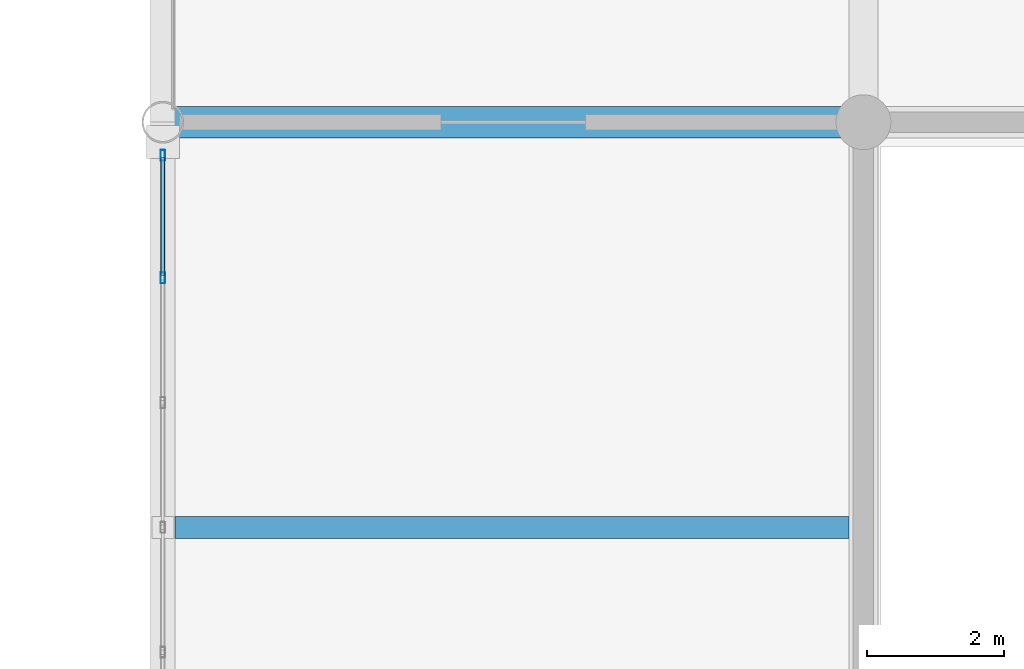
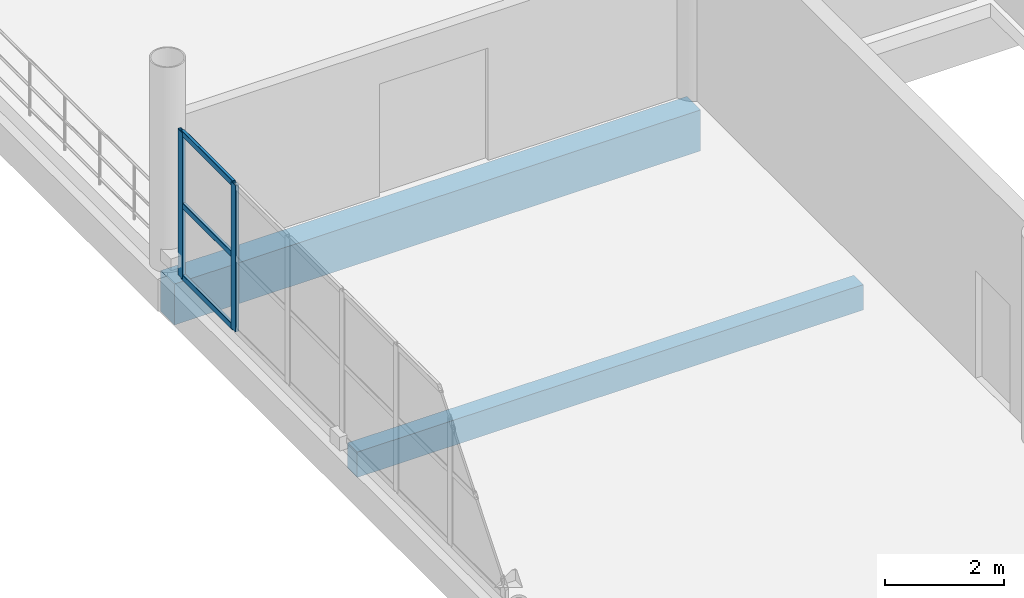
# One storey, part 73 of 157: 5 members, 2 beams, 1 element without a shape of its own.
"""IFC4 building model written with IfcOpenShell, lengths in metres."""

import ifcopenshell
import ifcopenshell.guid

model = None  # the IFC model being written
_history = None  # IfcOwnerHistory: only IFC2X3 demands one
_inside = {}  # id of a spatial element -> (the spatial element, [elements in it])
_under = {}  # id of a project, library or spatial element -> (it, [spatial elements below it])
_declared = {}  # id of a project -> (the project, [libraries it declares])
_typed = {}  # id of a type object -> (the type object, [elements of that type])
_made_of = {}  # id of a material, layer set ... -> (it, [elements and type objects made of it])


def new_model(schema):
    """Start an empty IFC model of exactly this schema.

    Asked for "IFC4X3", IfcOpenShell would pick the latest addendum, in which some entities
    have other attributes; the version numbers below select the first issue.
    IFC2X3 requires an IfcOwnerHistory on every rooted entity: one is made here for all.
    """
    global model, _history
    if schema == "IFC4X3":
        model = ifcopenshell.file(schema_version=(4, 3, 0, 0))
    else:
        model = ifcopenshell.file(schema=schema)
    _inside.clear()
    _under.clear()
    _declared.clear()
    _typed.clear()
    _made_of.clear()
    _history = None
    if model.schema == "IFC2X3":
        org = make("IfcOrganization", Name="unknown")
        user = make(
            "IfcPersonAndOrganization",
            ThePerson=make("IfcPerson", FamilyName="unknown"),
            TheOrganization=org,
        )
        app = make(
            "IfcApplication",
            ApplicationDeveloper=org,
            Version="unknown",
            ApplicationFullName="unknown",
            ApplicationIdentifier="unknown",
        )
        _history = make(
            "IfcOwnerHistory",
            OwningUser=user,
            OwningApplication=app,
            ChangeAction="ADDED",
            CreationDate=0,
        )
    return model


def make(cls, **values):
    """One entity of the class cls with the attributes given. An attribute that is None is left unset."""
    return model.create_entity(
        cls, **{name: value for name, value in values.items() if value is not None}
    )


def rooted(cls, **values):
    """An entity with a GlobalId (a new one), such as an element, a storey or a relation."""
    return make(cls, GlobalId=ifcopenshell.guid.new(), OwnerHistory=_history, **values)


def si_unit(unit_type, name, prefix=None):
    """IfcSIUnit, for example si_unit("LENGTHUNIT", "METRE", prefix="MILLI")."""
    return make("IfcSIUnit", UnitType=unit_type, Prefix=prefix, Name=name)


def assignment(units):
    """IfcUnitAssignment: the units of a project."""
    return None if units is None else make("IfcUnitAssignment", Units=units)


def point(xyz):
    """IfcCartesianPoint."""
    return None if xyz is None else make("IfcCartesianPoint", Coordinates=xyz)


def direction(xyz):
    """IfcDirection."""
    return None if xyz is None else make("IfcDirection", DirectionRatios=xyz)


def frame(location, z_axis=None, x_axis=None):
    """IfcAxis2Placement3D, a coordinate frame: its origin and axes. An axis left out is left unset."""
    return make(
        "IfcAxis2Placement3D",
        Location=point(location),
        Axis=direction(z_axis),
        RefDirection=direction(x_axis),
    )


def frame_2d(location, x_axis=None):
    """IfcAxis2Placement2D, a coordinate frame in the plane: its origin and x axis."""
    return make(
        "IfcAxis2Placement2D", Location=point(location), RefDirection=direction(x_axis)
    )


def origin():
    """The frame at (0, 0, 0) with its axes left unset."""
    return frame((0.0, 0.0, 0.0))


def origin_2d():
    """The frame at (0, 0) in the plane with its x axis left unset."""
    return frame_2d((0.0, 0.0))


def place(relative_to, where):
    """IfcLocalPlacement: puts the frame where relative to a parent placement (None: the world)."""
    return make(
        "IfcLocalPlacement", PlacementRelTo=relative_to, RelativePlacement=where
    )


def context(
    kind, dimensions, precision=None, world=None, true_north=None, identifier=None
):
    """IfcGeometricRepresentationContext, for example the 3D "Model" context."""
    return make(
        "IfcGeometricRepresentationContext",
        ContextIdentifier=identifier,
        ContextType=kind,
        CoordinateSpaceDimension=dimensions,
        Precision=precision,
        WorldCoordinateSystem=world,
        TrueNorth=true_north,
    )


def subcontext(parent, identifier, kind, view, scale=None):
    """IfcGeometricRepresentationSubContext, for example "Body" below "Model"."""
    return make(
        "IfcGeometricRepresentationSubContext",
        ContextIdentifier=identifier,
        ContextType=kind,
        ParentContext=parent,
        TargetScale=scale,
        TargetView=view,
    )


def project(units=None, contexts=None):
    """IfcProject with its units and contexts."""
    return rooted(
        "IfcProject",
        Name="project",
        RepresentationContexts=contexts,
        UnitsInContext=assignment(units),
    )


def spatial(cls, under=None, at=None, **own):
    """A site, building, storey or space (cls), placed at a placement, below another one or the project."""
    s = rooted(cls, ObjectPlacement=at, **own)
    if under is not None:
        _under.setdefault(under.id(), (under, []))[1].append(s)
    return s


def profile(cls, at=None, kind="AREA", **sizes):
    """A parametric profile (cls). Its sizes go by their IFC names, for example OverallWidth=200.0."""
    return make(cls, ProfileType=kind, Position=at, **sizes)


def rectangle(**sizes):
    """IfcRectangleProfileDef."""
    return profile("IfcRectangleProfileDef", **sizes)


def hollow_rectangle(**sizes):
    """IfcRectangleHollowProfileDef."""
    return profile("IfcRectangleHollowProfileDef", **sizes)


def extrude(swept, where, along, depth):
    """IfcExtrudedAreaSolid: the profile swept, set in the frame where, extruded along a direction by depth."""
    return make(
        "IfcExtrudedAreaSolid",
        SweptArea=swept,
        Position=where,
        ExtrudedDirection=direction(along),
        Depth=depth,
    )


def shape(context_of_items, identifier, shape_type, items):
    """IfcShapeRepresentation: the items that make up one representation, for example the "Body"."""
    return make(
        "IfcShapeRepresentation",
        ContextOfItems=context_of_items,
        RepresentationIdentifier=identifier,
        RepresentationType=shape_type,
        Items=items,
    )


def material(Name=None, Category=None):
    """IfcMaterial."""
    return make("IfcMaterial", Name=Name, Category=Category)


def material_profile(
    of_material, cross_section, Name=None, Category=None, Priority=None
):
    """IfcMaterialProfile: a cross section and its material."""
    return make(
        "IfcMaterialProfile",
        Name=Name,
        Material=of_material,
        Profile=cross_section,
        Priority=Priority,
        Category=Category,
    )


def profile_set(profiles, Name=None, composite=None):
    """IfcMaterialProfileSet."""
    return make(
        "IfcMaterialProfileSet",
        Name=Name,
        MaterialProfiles=profiles,
        CompositeProfile=composite,
    )


def made_of(thing, what):
    """Note that an element or type object is made of a material, layer set ...; save() writes the relation."""
    if what is not None:
        _made_of.setdefault(what.id(), (what, []))[1].append(thing)
    return thing


def type_object(cls, material=None, **own):
    """A type object (cls), such as IfcWallType, which elements share."""
    return made_of(rooted(cls, **own), material)


def element(
    cls,
    number,
    at=None,
    inside=None,
    cuts=None,
    type_object=None,
    material=None,
    context=None,
    identifier="Body",
    shape_type=None,
    held_by="IfcProductDefinitionShape",
    body=None,
    shapes=None,
    **own,
):
    """One element of the class cls, such as IfcWall. Its Tag is "e" and its number.

    at: its placement. inside: the storey or other place that contains it. cuts: it is an
    opening in that element (IfcRelVoidsElement). A single representation is given by context,
    identifier, shape_type and body (its items); several are given by shapes. held_by: the class
    of the entity that holds the representations. save() writes the other relations.
    """
    e = rooted(cls, Tag="e%d" % number, ObjectPlacement=at, **own)
    if body is not None:
        shapes = [shape(context, identifier, shape_type, body)]
    if shapes is not None:
        e.Representation = make(held_by, Representations=shapes)
    if inside is not None:
        _inside.setdefault(inside.id(), (inside, []))[1].append(e)
    if cuts is not None:
        rooted(
            "IfcRelVoidsElement", RelatingBuildingElement=cuts, RelatedOpeningElement=e
        )
    if type_object is not None:
        _typed.setdefault(type_object.id(), (type_object, []))[1].append(e)
    return made_of(e, material)


def aggregate(whole, parts):
    """IfcRelAggregates: a whole, such as a stair, and the parts it consists of."""
    return rooted("IfcRelAggregates", RelatingObject=whole, RelatedObjects=parts)


def save(model, path):
    """Write the relations noted so far, then the file.

    IfcRelAggregates (storeys below a building ...), IfcRelContainedInSpatialStructure (elements
    in a storey), IfcRelDefinesByType, IfcRelAssociatesMaterial and IfcRelDeclares: one each for
    every whole, place, type object, material and project.
    """
    for whole, parts in _under.values():
        aggregate(whole, parts)
    for where, things in _inside.values():
        rooted(
            "IfcRelContainedInSpatialStructure",
            RelatedElements=things,
            RelatingStructure=where,
        )
    for kind, things in _typed.values():
        rooted("IfcRelDefinesByType", RelatedObjects=things, RelatingType=kind)
    for what, things in _made_of.values():
        rooted("IfcRelAssociatesMaterial", RelatedObjects=things, RelatingMaterial=what)
    for by, libraries in _declared.values():
        rooted("IfcRelDeclares", RelatingContext=by, RelatedDefinitions=libraries)
    model.write(path)


model = new_model("IFC4")

# Units and contexts
model_context = context("Model", 3, precision=1e-05, world=origin(), true_north=direction((0.0, 1.0)))
body_context = subcontext(model_context, "Body", "Model", "MODEL_VIEW")
ifc_project = project(units=[si_unit("LENGTHUNIT", "METRE"), si_unit("AREAUNIT", "SQUARE_METRE"), si_unit("VOLUMEUNIT", "CUBIC_METRE"), si_unit("PLANEANGLEUNIT", "RADIAN"), si_unit("MASSUNIT", "GRAM", prefix="KILO")], contexts=[model_context])

# Site, building, storey
site_placement = place(None, origin())
site = spatial("IfcSite", under=ifc_project, at=site_placement, CompositionType="ELEMENT")
building_placement = place(site_placement, origin())
building = spatial("IfcBuilding", under=site, at=building_placement, Name="Brelvane Convention Centre", CompositionType="ELEMENT")
storey_placement = place(building_placement, frame((0.0, 0.0, 10.800048828125)))
storey = spatial("IfcBuildingStorey", under=building, at=storey_placement, Name="L02", CompositionType="ELEMENT", Elevation=10.800048828125)

# Curtain wall, members
ifc_material_1 = material(Name="Anodised Aluminium Alloy 6063-T6", Category="aluminium")
curtain_wall_type = type_object("IfcCurtainWallType", Name="Curtain Wall CW-CONC", PredefinedType="USERDEFINED", material=ifc_material_1)
curtain_wall_placement = place(storey_placement, origin())
curtain_wall = element("IfcCurtainWall", 1, at=curtain_wall_placement, inside=storey, type_object=curtain_wall_type, Name="Curtain Wall CW-CONC L02-GAL-ATRIUM-W-4", ObjectType="UNITISED", PredefinedType="USERDEFINED")
ifc_material_2 = material(Name="Anodised Aluminium Alloy 6063-T6", Category="aluminium")
ifc_material_profile_1 = material_profile(ifc_material_2, hollow_rectangle(XDim=0.06494140625, YDim=0.159912109375, WallThickness=0.00390625, InnerFilletRadius=0.00390625, OuterFilletRadius=0.008056640625, at=origin_2d()), Name="ALU-M 160x65x4.0")
ifc_profile_set_1 = profile_set([ifc_material_profile_1], Name="Anodised Aluminium Alloy 6063-T6")
member_type_1 = type_object("IfcMemberType", Name="Curtain Mullion CW-M3", PredefinedType="MULLION", material=ifc_profile_set_1)
member_1_placement = place(storey_placement, frame((142.800048828125, 85.533447265625, 0.0), z_axis=(0.0, 0.0, 1.0), x_axis=(-1.0, 0.0, 0.0)))
member_1 = element("IfcMember", 2, at=member_1_placement, type_object=member_type_1, Name="CW-CONC mullion 6", PredefinedType="MULLION", context=body_context, shape_type="SweptSolid", body=[
    extrude(hollow_rectangle(XDim=0.06494140625, YDim=0.159912109375, WallThickness=0.00390625, InnerFilletRadius=0.00390625, OuterFilletRadius=0.008056640625, at=origin_2d()), origin(), (0.0, 0.0, 1.0), 3.0),
])
member_2_placement = place(storey_placement, frame((142.800048828125, 87.3173828125, 0.0), z_axis=(0.0, 0.0, 1.0), x_axis=(-1.0, 0.0, 0.0)))
member_2 = element("IfcMember", 3, at=member_2_placement, type_object=member_type_1, Name="CW-CONC mullion 7", PredefinedType="MULLION", context=body_context, shape_type="SweptSolid", body=[
    extrude(hollow_rectangle(XDim=0.06494140625, YDim=0.159912109375, WallThickness=0.00390625, InnerFilletRadius=0.00390625, OuterFilletRadius=0.008056640625, at=origin_2d()), origin(), (0.0, 0.0, 1.0), 3.0),
])
ifc_material_3 = material(Name="Anodised Aluminium Alloy 6063-T6", Category="aluminium")
ifc_material_profile_2 = material_profile(ifc_material_3, hollow_rectangle(XDim=0.06005859375, YDim=0.1201171875, WallThickness=0.00390625, InnerFilletRadius=0.00390625, OuterFilletRadius=0.008056640625, at=origin_2d()), Name="ALU-T 120x60x4.0")
ifc_profile_set_2 = profile_set([ifc_material_profile_2], Name="Anodised Aluminium Alloy 6063-T6")
member_type_2 = type_object("IfcMemberType", Name="Curtain Transom CW-T3", PredefinedType="USERDEFINED", material=ifc_profile_set_2)
member_3_placement = place(storey_placement, frame((142.800048828125, 85.56591796875, 0.030029296875), z_axis=(0.0, 1.0, 0.0), x_axis=(-1.0, 0.0, 0.0)))
member_3 = element("IfcMember", 4, at=member_3_placement, type_object=member_type_2, Name="CW-CONC transom 6.1", ObjectType="TRANSOM", PredefinedType="USERDEFINED", context=body_context, shape_type="SweptSolid", body=[
    extrude(hollow_rectangle(XDim=0.06005859375, YDim=0.1201171875, WallThickness=0.00390625, InnerFilletRadius=0.00390625, OuterFilletRadius=0.008056640625, at=origin_2d()), origin(), (0.0, 0.0, 1.0), 1.718994140625),
])
member_4_placement = place(storey_placement, frame((142.800048828125, 85.56591796875, 1.5), z_axis=(0.0, 1.0, 0.0), x_axis=(-1.0, 0.0, 0.0)))
member_4 = element("IfcMember", 5, at=member_4_placement, type_object=member_type_2, Name="CW-CONC transom 6.2", ObjectType="TRANSOM", PredefinedType="USERDEFINED", context=body_context, shape_type="SweptSolid", body=[
    extrude(hollow_rectangle(XDim=0.06005859375, YDim=0.1201171875, WallThickness=0.00390625, InnerFilletRadius=0.00390625, OuterFilletRadius=0.008056640625, at=origin_2d()), origin(), (0.0, 0.0, 1.0), 1.718994140625),
])
member_5_placement = place(storey_placement, frame((142.800048828125, 85.56591796875, 2.969970703125), z_axis=(0.0, 1.0, 0.0), x_axis=(-1.0, 0.0, 0.0)))
member_5 = element("IfcMember", 6, at=member_5_placement, type_object=member_type_2, Name="CW-CONC transom 6.3", ObjectType="TRANSOM", PredefinedType="USERDEFINED", context=body_context, shape_type="SweptSolid", body=[
    extrude(hollow_rectangle(XDim=0.06005859375, YDim=0.1201171875, WallThickness=0.00390625, InnerFilletRadius=0.00390625, OuterFilletRadius=0.008056640625, at=origin_2d()), origin(), (0.0, 0.0, 1.0), 1.718994140625),
])
aggregate(curtain_wall, [member_1, member_2, member_3, member_4, member_5])

# Beams
ifc_material_4 = material(Name="Concrete M40", Category="concrete")
ifc_material_profile_3 = material_profile(ifc_material_4, rectangle(XDim=0.4599609375, YDim=0.840087890625, at=origin_2d()), Name="RC 460x840")
ifc_profile_set_3 = profile_set([ifc_material_profile_3], Name="Concrete M40")
beam_type_1 = type_object("IfcBeamType", Name="RC Beam B-RC11 (RC 460x840)", PredefinedType="BEAM", material=ifc_profile_set_3)
beam_1_placement = place(storey_placement, frame((142.800048828125, 87.800048828125, -0.72998046875), z_axis=(1.0, 0.0, 0.0), x_axis=(0.0, 1.0, 0.0)))
element("IfcBeam", 7, at=beam_1_placement, inside=storey, type_object=beam_type_1, Name="L02 Beam 15-16/J", PredefinedType="BEAM", context=body_context, shape_type="SweptSolid", body=[
    extrude(rectangle(XDim=0.4599609375, YDim=0.840087890625, at=origin_2d()), origin(), (0.0, 0.0, 1.0), 10.199951171875),
])
ifc_material_5 = material(Name="Concrete M40", Category="concrete")
ifc_material_profile_4 = material_profile(ifc_material_5, rectangle(XDim=0.320068359375, YDim=0.52001953125, at=origin_2d()), Name="RC 320x520")
ifc_profile_set_4 = profile_set([ifc_material_profile_4], Name="Concrete M40")
beam_type_2 = type_object("IfcBeamType", Name="RC Joist J-RC4 (RC 320x520)", PredefinedType="JOIST", material=ifc_profile_set_4)
beam_2_placement = place(storey_placement, frame((142.97998046875, 81.89990234375, -0.5400390625), z_axis=(1.0, 0.0, 0.0), x_axis=(0.0, 1.0, 0.0)))
element("IfcBeam", 8, at=beam_2_placement, inside=storey, type_object=beam_type_2, Name="L02 Secondary Joist 15-16/HJ", PredefinedType="JOIST", context=body_context, shape_type="SweptSolid", body=[
    extrude(rectangle(XDim=0.320068359375, YDim=0.52001953125, at=origin_2d()), origin(), (0.0, 0.0, 1.0), 9.81005859375),
])

save(model, "model.ifc")
